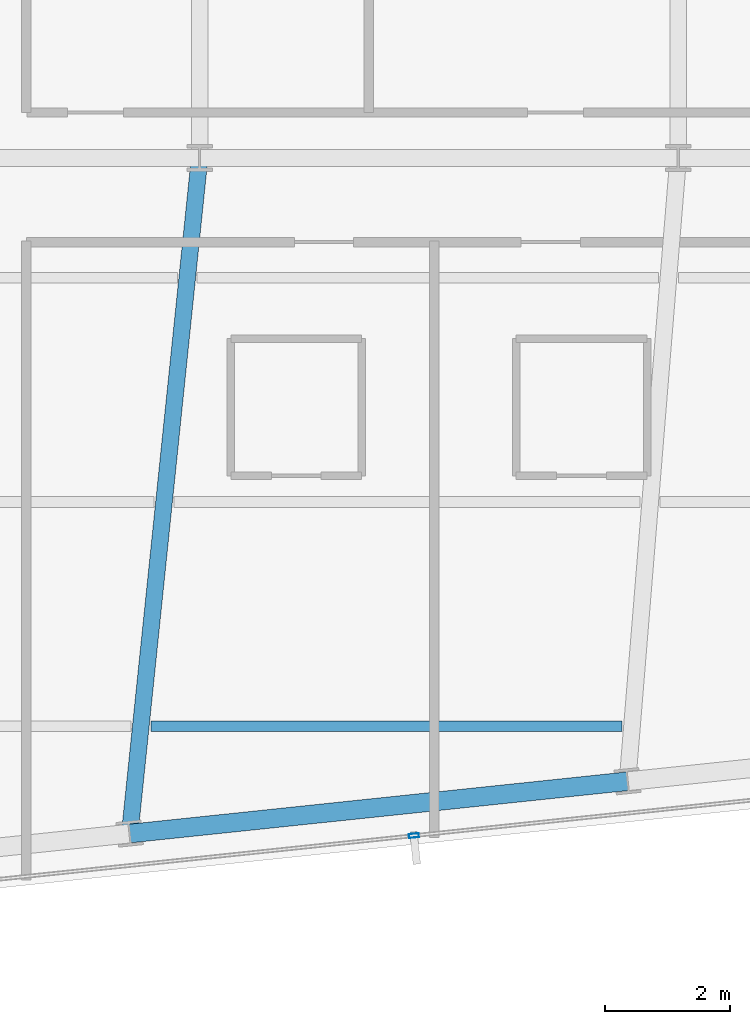
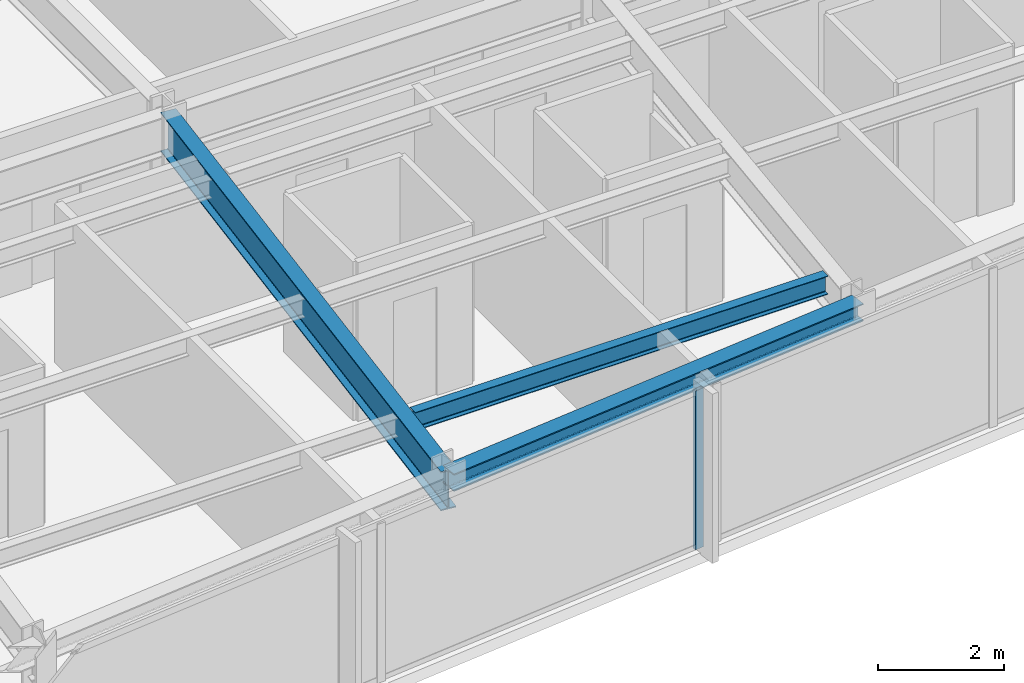
# One storey, part 8 of 33: 3 beams, 1 member, 1 element without a shape of its own.
"""IFC4 building model written with IfcOpenShell, lengths in metres."""

from ifc_helpers import new_model, si_unit, direction, frame, origin, origin_2d, place, context, subcontext, project, spatial, hollow_rectangle, i_section, extrude, material, material_profile, profile_set, type_object, element, aggregate, save


model = new_model("IFC4")

# Units and contexts
model_context = context("Model", 3, precision=1e-05, world=origin(), true_north=direction((0.0, 1.0)))
body_context = subcontext(model_context, "Body", "Model", "MODEL_VIEW")
ifc_project = project(units=[si_unit("LENGTHUNIT", "METRE"), si_unit("AREAUNIT", "SQUARE_METRE"), si_unit("VOLUMEUNIT", "CUBIC_METRE"), si_unit("PLANEANGLEUNIT", "RADIAN"), si_unit("MASSUNIT", "GRAM", prefix="KILO")], contexts=[model_context])

# Site, building, storey
site_placement = place(None, origin())
site = spatial("IfcSite", under=ifc_project, at=site_placement, CompositionType="ELEMENT")
building_placement = place(site_placement, origin())
building = spatial("IfcBuilding", under=site, at=building_placement, Name="Yelkora Congress Tower", CompositionType="ELEMENT")
storey_placement = place(building_placement, frame((0.0, 0.0, 224.300048828125)))
storey = spatial("IfcBuildingStorey", under=building, at=storey_placement, Name="L62", CompositionType="ELEMENT", Elevation=224.300048828125)

# Beams
ifc_material_1 = material(Name="Steel S355J2", Category="steel")
ifc_material_profile_1 = material_profile(ifc_material_1, i_section(OverallWidth=0.26708984375, OverallDepth=0.761962890625, WebThickness=0.014404296875, FlangeThickness=0.021484375, FilletRadius=0.01708984375, at=origin_2d()), Name="IPE 750x173")
ifc_profile_set_1 = profile_set([ifc_material_profile_1], Name="Steel S355J2")
beam_type_1 = type_object("IfcBeamType", Name="BM-GIRD-IPE750", PredefinedType="BEAM", material=ifc_profile_set_1)
beam_1_placement = place(storey_placement, frame((37.277587890625, 14.35791015625, 2.698974609375), z_axis=(0.102964870035, 0.99468499312, 0.0), x_axis=(-0.99468499312, 0.102964870035, 0.0)))
element("IfcBeam", 1, at=beam_1_placement, inside=storey, type_object=beam_type_1, Name="L62 Primary Frame Girder S03", PredefinedType="BEAM", context=body_context, shape_type="SweptSolid", body=[
    extrude(i_section(OverallWidth=0.26708984375, OverallDepth=0.761962890625, WebThickness=0.014404296875, FlangeThickness=0.021484375, FilletRadius=0.01708984375, at=origin_2d()), origin(), (0.0, 0.0, 1.0), 10.89990234375),
])
ifc_material_profile_2 = material_profile(ifc_material_1, i_section(OverallWidth=0.169921875, OverallDepth=0.360107421875, WebThickness=0.008056640625, FlangeThickness=0.0126953125, FilletRadius=0.01806640625, at=origin_2d()), Name="IPE 360")
ifc_profile_set_2 = profile_set([ifc_material_profile_2], Name="Steel S355J2")
beam_type_2 = type_object("IfcBeamType", Name="BM-JOIST-IPE360", PredefinedType="JOIST", material=ifc_profile_set_2)
beam_2_placement = place(storey_placement, frame((37.61572265625, 16.07861328125, 2.89990234375), z_axis=(1.0, 0.0, 0.0), x_axis=(0.0, 1.0, 0.0)))
element("IfcBeam", 2, at=beam_2_placement, inside=storey, type_object=beam_type_2, Name="L62 Composite Floor Joist 2", PredefinedType="JOIST", context=body_context, shape_type="SweptSolid", body=[
    extrude(i_section(OverallWidth=0.169921875, OverallDepth=0.360107421875, WebThickness=0.008056640625, FlangeThickness=0.0126953125, FilletRadius=0.01806640625, at=origin_2d()), origin(), (0.0, 0.0, 1.0), 7.56298828125),
])
ifc_material_profile_3 = material_profile(ifc_material_1, i_section(OverallWidth=0.300048828125, OverallDepth=0.340087890625, WebThickness=0.011962890625, FlangeThickness=0.021484375, FilletRadius=0.027099609375, at=origin_2d()), Name="HEB 340")
ifc_profile_set_3 = profile_set([ifc_material_profile_3], Name="Steel S355J2")
beam_type_3 = type_object("IfcBeamType", Name="BM-SPAN-HEB340", PredefinedType="SPANDREL", material=ifc_profile_set_3)
beam_3_placement = place(storey_placement, frame((37.277587890625, 14.35791015625, 2.909912109375), z_axis=(0.99452358891, 0.104512349038, 0.0), x_axis=(-0.104512349038, 0.99452358891, 0.0)))
element("IfcBeam", 3, at=beam_3_placement, inside=storey, type_object=beam_type_3, Name="L62 Perimeter Beam 5", PredefinedType="SPANDREL", context=body_context, shape_type="SweptSolid", body=[
    extrude(i_section(OverallWidth=0.300048828125, OverallDepth=0.340087890625, WebThickness=0.011962890625, FlangeThickness=0.021484375, FilletRadius=0.027099609375, at=origin_2d()), origin(), (0.0, 0.0, 1.0), 8.033447265625),
])

# Curtain wall, member
ifc_material_2 = material(Name="Anodised aluminium and insulated glass", Category="aluminium")
curtain_wall_type = type_object("IfcCurtainWallType", Name="CW-SYS-B4", PredefinedType="NOTDEFINED", material=ifc_material_2)
curtain_wall_placement = place(storey_placement, origin())
curtain_wall = element("IfcCurtainWall", 4, at=curtain_wall_placement, inside=storey, type_object=curtain_wall_type, Name="L62 Unitised Curtain Wall 20", PredefinedType="NOTDEFINED")
ifc_material_3 = material(Name="Anodised aluminium 6063-T6", Category="aluminium")
ifc_material_profile_4 = material_profile(ifc_material_3, hollow_rectangle(XDim=0.06494140625, YDim=0.159912109375, WallThickness=0.00390625, at=origin_2d()), Name="ALU 65x160x4")
ifc_profile_set_4 = profile_set([ifc_material_profile_4], Name="Anodised aluminium 6063-T6")
member_type = type_object("IfcMemberType", Name="MEM-ML-B4", PredefinedType="MULLION", material=ifc_profile_set_4)
member_placement = place(storey_placement, frame((41.838134765625, 14.324462890625, 0.0), z_axis=(0.0, 0.0, 1.0), x_axis=(0.104526664994, -0.994522084373, 0.0)))
member = element("IfcMember", 5, at=member_placement, type_object=member_type, Name="CW-B4 mullion 5", PredefinedType="MULLION", context=body_context, shape_type="SweptSolid", body=[
    extrude(hollow_rectangle(XDim=0.06494140625, YDim=0.159912109375, WallThickness=0.00390625, at=origin_2d()), origin(), (0.0, 0.0, 1.0), 3.079833984375),
])
aggregate(curtain_wall, [member])

save(model, "model.ifc")
